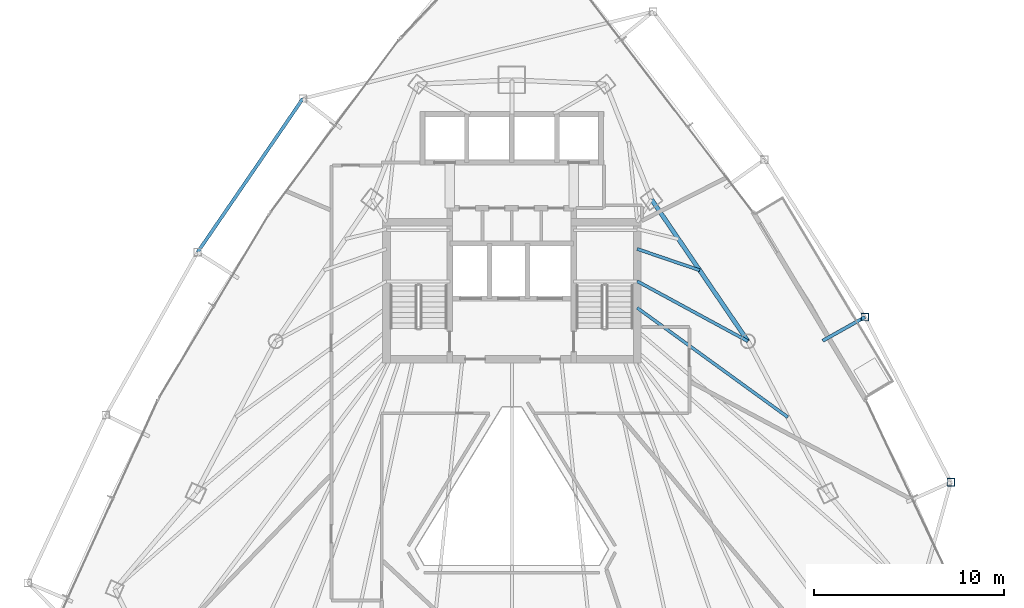
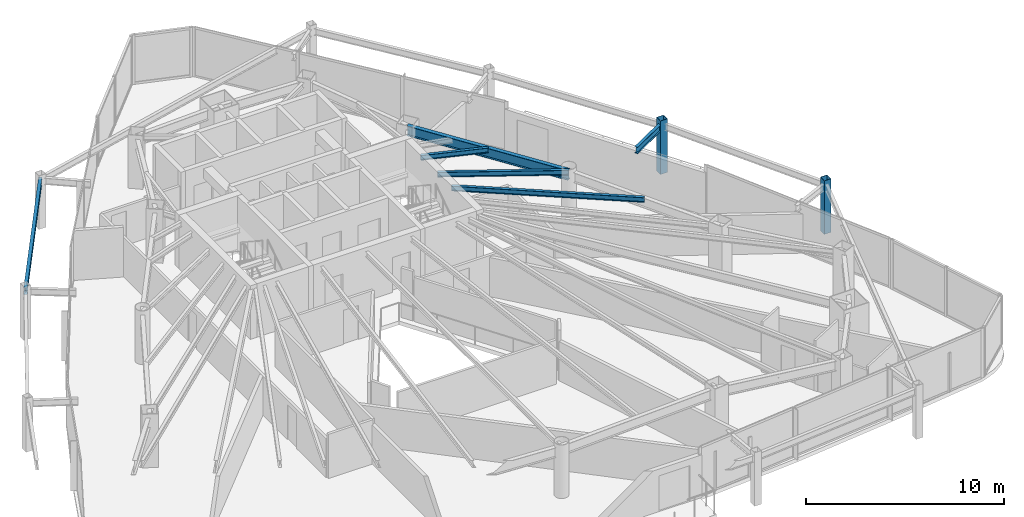
# One storey, part 18 of 31: 6 beams, 2 members.
"""IFC4 building model written with IfcOpenShell, lengths in metres."""

from ifc_helpers import new_model, si_unit, direction, frame, origin, origin_2d, place, context, subcontext, project, spatial, hollow_rectangle, i_section, extrude, material, material_profile, profile_set, type_object, element, save


model = new_model("IFC4")

# Units and contexts
model_context = context("Model", 3, precision=1e-05, world=origin(), true_north=direction((0.0, 1.0)))
body_context = subcontext(model_context, "Body", "Model", "MODEL_VIEW")
ifc_project = project(units=[si_unit("LENGTHUNIT", "METRE"), si_unit("AREAUNIT", "SQUARE_METRE"), si_unit("VOLUMEUNIT", "CUBIC_METRE"), si_unit("PLANEANGLEUNIT", "RADIAN"), si_unit("MASSUNIT", "GRAM", prefix="KILO")], contexts=[model_context])

# Site, building, storey
site_placement = place(None, origin())
site = spatial("IfcSite", under=ifc_project, at=site_placement, CompositionType="ELEMENT")
building_placement = place(site_placement, origin())
building = spatial("IfcBuilding", under=site, at=building_placement, Name="Orvanel Arch Residences", CompositionType="ELEMENT")
storey_placement = place(building_placement, frame((0.0, 0.0, 129.800048828125)))
storey = spatial("IfcBuildingStorey", under=building, at=storey_placement, Name="L36", CompositionType="ELEMENT", Elevation=129.800048828125)

# Beams
ifc_material_1 = material(Name="Structural steel AS/NZS 3679.1 Grade 300 (300 MPa)", Category="steel")
ifc_material_profile_1 = material_profile(ifc_material_1, i_section(OverallWidth=0.1650390625, OverallDepth=0.303955078125, WebThickness=0.006103515625, FlangeThickness=0.01025390625, at=origin_2d()), Name="310UB40.4")
ifc_profile_set_1 = profile_set([ifc_material_profile_1], Name="Structural steel AS/NZS 3679.1 Grade 300 (300 MPa)")
beam_type_1 = type_object("IfcBeamType", Name="BJ-310UB", PredefinedType="JOIST", material=ifc_profile_set_1)
beam_1_placement = place(storey_placement, frame((39.60009765625, 30.800048828125, 2.907958984375), z_axis=(0.87925534649, -0.476350748576, 0.0), x_axis=(0.476350748576, 0.87925534649, 0.0)))
element("IfcBeam", 1, at=beam_1_placement, inside=storey, type_object=beam_type_1, Name="L36 NE Wing Floor Joist", PredefinedType="JOIST", context=body_context, shape_type="SweptSolid", body=[
    extrude(i_section(OverallWidth=0.1650390625, OverallDepth=0.303955078125, WebThickness=0.006103515625, FlangeThickness=0.01025390625, at=origin_2d()), origin(), (0.0, 0.0, 1.0), 6.631591796875),
])
beam_2_placement = place(storey_placement, frame((39.60009765625, 32.5, 2.907958984375), z_axis=(0.9464126781, -0.322959815969, 0.0), x_axis=(0.322959815969, 0.9464126781, 0.0)))
element("IfcBeam", 2, at=beam_2_placement, inside=storey, type_object=beam_type_1, Name="L36 ENE Wing Floor Joist", PredefinedType="JOIST", context=body_context, shape_type="SweptSolid", body=[
    extrude(i_section(OverallWidth=0.1650390625, OverallDepth=0.303955078125, WebThickness=0.006103515625, FlangeThickness=0.01025390625, at=origin_2d()), origin(), (0.0, 0.0, 1.0), 3.477294921875),
])
beam_3_placement = place(storey_placement, frame((39.60009765625, 29.39990234375, 2.907958984375), z_axis=(0.809261403954, -0.587448704203, 0.0), x_axis=(0.587448704203, 0.809261403954, 0.0)))
element("IfcBeam", 3, at=beam_3_placement, inside=storey, type_object=beam_type_1, Name="L36 CTE Wing Floor Joist", PredefinedType="JOIST", context=body_context, shape_type="SweptSolid", body=[
    extrude(i_section(OverallWidth=0.1650390625, OverallDepth=0.303955078125, WebThickness=0.006103515625, FlangeThickness=0.01025390625, at=origin_2d()), origin(), (0.0, 0.0, 1.0), 9.80126953125),
])
ifc_material_profile_2 = material_profile(ifc_material_1, i_section(OverallWidth=0.177978515625, OverallDepth=0.406005859375, WebThickness=0.0078125, FlangeThickness=0.0126953125, at=origin_2d()), Name="410UB59.7")
ifc_profile_set_2 = profile_set([ifc_material_profile_2], Name="Structural steel AS/NZS 3679.1 Grade 300 (300 MPa)")
beam_type_2 = type_object("IfcBeamType", Name="OB-410UB-EXT", PredefinedType="SPANDREL", material=ifc_profile_set_2)
beam_4_placement = place(storey_placement, frame((21.998046875, 40.4140625, 2.85693359375), z_axis=(-0.565307686452, -0.824880124405, 0.0), x_axis=(0.824880124405, -0.565307686452, 0.0)))
element("IfcBeam", 4, at=beam_4_placement, inside=storey, type_object=beam_type_2, Name="L36 Outer Perimeter Floor Ring Beam 01", PredefinedType="SPANDREL", context=body_context, shape_type="SweptSolid", body=[
    extrude(i_section(OverallWidth=0.177978515625, OverallDepth=0.406005859375, WebThickness=0.0078125, FlangeThickness=0.0126953125, at=origin_2d()), origin(), (0.0, 0.0, 1.0), 9.80517578125),
])
beam_5_placement = place(storey_placement, frame((49.368896484375, 27.6650390625, 2.85693359375), z_axis=(0.871826000081, 0.489815705734, 0.0), x_axis=(-0.489815705734, 0.871826000081, 0.0)))
element("IfcBeam", 5, at=beam_5_placement, inside=storey, type_object=beam_type_2, Name="L36 Outer Frame Radial Tie Beam 10", PredefinedType="SPANDREL", context=body_context, shape_type="SweptSolid", body=[
    extrude(i_section(OverallWidth=0.177978515625, OverallDepth=0.406005859375, WebThickness=0.0078125, FlangeThickness=0.0126953125, at=origin_2d()), origin(), (0.0, 0.0, 1.0), 2.550048828125),
])
ifc_material_profile_3 = material_profile(ifc_material_1, i_section(OverallWidth=0.22900390625, OverallDepth=0.612060546875, WebThickness=0.011962890625, FlangeThickness=0.01953125, at=origin_2d()), Name="610UB125")
ifc_profile_set_3 = profile_set([ifc_material_profile_3], Name="Structural steel AS/NZS 3679.1 Grade 300 (300 MPa)")
beam_type_3 = type_object("IfcBeamType", Name="SP-610UB", PredefinedType="SPANDREL", material=ifc_profile_set_3)
beam_6_placement = place(storey_placement, frame((45.430908203125, 27.64111328125, 2.75390625), z_axis=(-0.562154793153, 0.827032035978, 0.0), x_axis=(-0.827032035978, -0.562154793153, 0.0)))
element("IfcBeam", 6, at=beam_6_placement, inside=storey, type_object=beam_type_3, Name="L36 Perimeter Spandrel Beam 12", PredefinedType="SPANDREL", context=body_context, shape_type="SweptSolid", body=[
    extrude(i_section(OverallWidth=0.22900390625, OverallDepth=0.612060546875, WebThickness=0.011962890625, FlangeThickness=0.01953125, at=origin_2d()), origin(), (0.0, 0.0, 1.0), 9.03466796875),
])

# Members
ifc_material_2 = material(Name="Structural steel AS/NZS 1163 C450L0 (Grade 450)", Category="steel")
ifc_material_profile_4 = material_profile(ifc_material_2, hollow_rectangle(XDim=0.39990234375, YDim=0.39990234375, WallThickness=0.01611328125, at=origin_2d()), Name="SHS400x400x16")
ifc_profile_set_4 = profile_set([ifc_material_profile_4], Name="Structural steel AS/NZS 1163 C450L0 (Grade 450)")
member_type = type_object("IfcMemberType", Name="ST-400SHS-EXT", PredefinedType="STRUT", material=ifc_profile_set_4)
for number, where, z_axis, x_axis, name in (
    (7, (56.117919921875, 20.215087890625, 0.0), (0.0, 0.0, 1.0), (1.0, 0.0, 0.0), "L36 Outer Perimeter Frame Post 09"),
    (8, (51.592041015625, 28.9140625, 0.0), (0.0, 0.0, 1.0), (1.0, 0.0, 0.0), "L36 Outer Perimeter Frame Post 10"),
):
    element("IfcMember", number, at=place(storey_placement, frame(where, z_axis=z_axis, x_axis=x_axis)), inside=storey, type_object=member_type, Name=name, PredefinedType="STRUT", context=body_context, shape_type="SweptSolid", body=[
        extrude(hollow_rectangle(XDim=0.39990234375, YDim=0.39990234375, WallThickness=0.01611328125, at=origin_2d()), origin(), (0.0, 0.0, 1.0), 3.300048828125),
    ])

save(model, "model.ifc")
